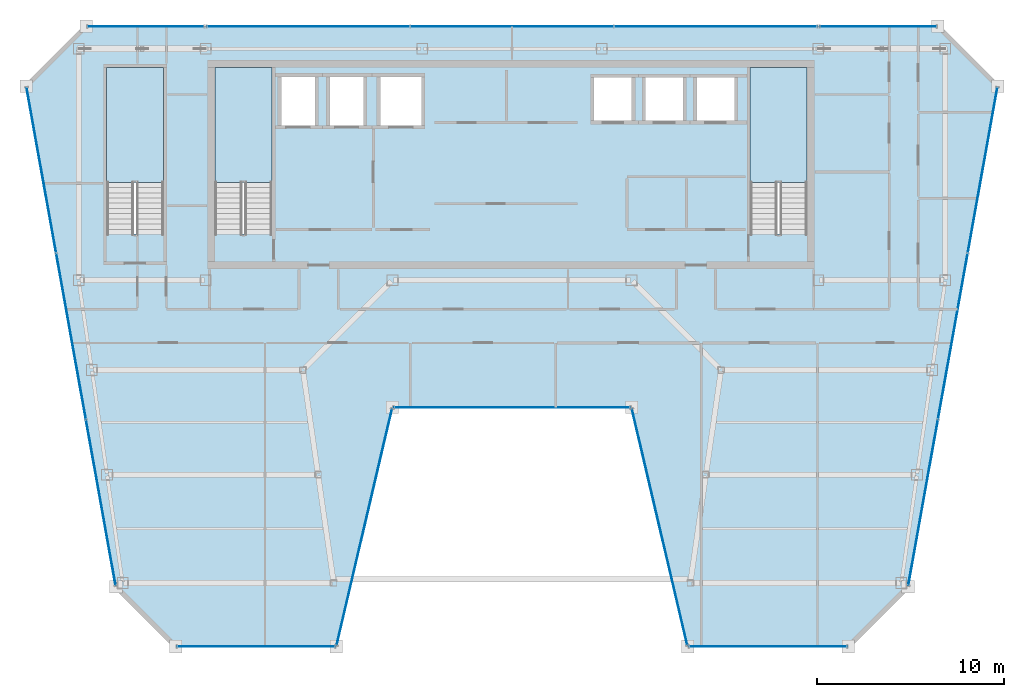
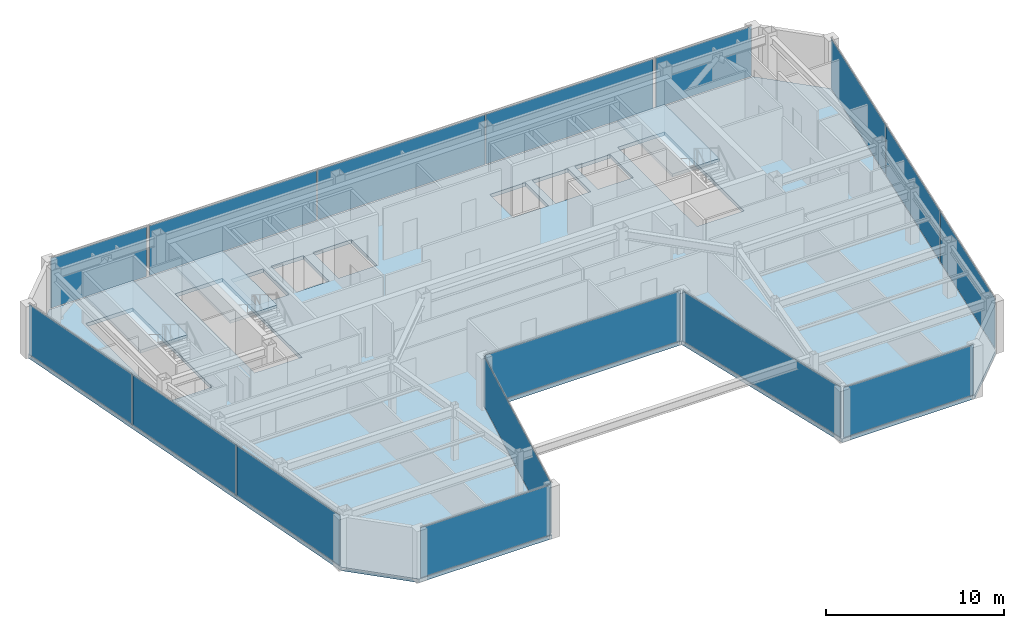
# One storey, part 25 of 32: 16 plates, 4 slabs, 13 elements without a shape of their own.
"""IFC4 building model written with IfcOpenShell, lengths in metres."""

from ifc_helpers import new_model, si_unit, direction, frame, origin, origin_2d, place, context, subcontext, project, spatial, polyline, rectangle, outline, extrude, material, layer, layer_set, type_object, element, aggregate, save


model = new_model("IFC4")

# Units and contexts
model_context = context("Model", 3, precision=1e-05, world=origin(), true_north=direction((0.0, 1.0)))
body_context = subcontext(model_context, "Body", "Model", "MODEL_VIEW")
ifc_project = project(units=[si_unit("LENGTHUNIT", "METRE"), si_unit("AREAUNIT", "SQUARE_METRE"), si_unit("VOLUMEUNIT", "CUBIC_METRE"), si_unit("PLANEANGLEUNIT", "RADIAN"), si_unit("MASSUNIT", "GRAM", prefix="KILO")], contexts=[model_context])

# Site, building, storey
site_placement = place(None, origin())
site = spatial("IfcSite", under=ifc_project, at=site_placement, CompositionType="ELEMENT")
building_placement = place(site_placement, origin())
building = spatial("IfcBuilding", under=site, at=building_placement, Name="Saevonmaru Cultural Tower", CompositionType="ELEMENT")
storey_placement = place(building_placement, frame((0.0, 0.0, 261.0)))
storey = spatial("IfcBuildingStorey", under=building, at=storey_placement, Name="L61", CompositionType="ELEMENT", Elevation=261.0)

# Curtain wall, plate
ifc_material_1 = material(Name="Satin Bronze Anodised Aluminium", Category="aluminium")
curtain_wall_type = type_object("IfcCurtainWallType", Name="CW-TYP-B", PredefinedType="NOTDEFINED", material=ifc_material_1)
curtain_wall_1_placement = place(storey_placement, origin())
curtain_wall_1 = element("IfcCurtainWall", 1, at=curtain_wall_1_placement, inside=storey, type_object=curtain_wall_type, Name="L61 Unitised Curtain Wall E2", PredefinedType="NOTDEFINED")
ifc_material_2 = material(Name="Triple Silver Low-E Insulating Glass", Category="glass")
ifc_layer_1 = layer(ifc_material_2, 0.035888671875, Name="Triple Silver Low-E Insulating Glass")
ifc_layer_set_1 = layer_set([ifc_layer_1], Name="Triple Silver Low-E Insulating Glass")
plate_type_1 = type_object("IfcPlateType", Name="PN-GLZ-IGU", PredefinedType="CURTAIN_PANEL", material=ifc_layer_set_1)
plate_1_placement = place(storey_placement, frame((16.295654296875, 22.800048828125, 0.06689453125), z_axis=(0.0, 0.0, 1.0), x_axis=(1.0, 0.0, 0.0)))
plate_1 = element("IfcPlate", 2, at=plate_1_placement, type_object=plate_type_1, Name="CW-TW-L61-E2 panel 1.1", PredefinedType="CURTAIN_PANEL", context=body_context, shape_type="SweptSolid", body=[
    extrude(rectangle(XDim=8.410888671875, YDim=0.035888671875, at=origin_2d()), origin(), (0.0, 0.0, 1.0), 3.416015625),
])
aggregate(curtain_wall_1, [plate_1])

curtain_wall_2_placement = place(storey_placement, origin())
curtain_wall_2 = element("IfcCurtainWall", 3, at=curtain_wall_2_placement, inside=storey, type_object=curtain_wall_type, Name="L61 Unitised Curtain Wall E3", PredefinedType="NOTDEFINED")
plate_2_placement = place(storey_placement, frame((22.095703125, 29.199951171875, 0.06689453125), z_axis=(0.0, 0.0, 1.0), x_axis=(0.228189509449, 0.973616735568, 0.0)))
plate_2 = element("IfcPlate", 4, at=plate_2_placement, type_object=plate_type_1, Name="CW-TW-L61-E3 panel 1.1", PredefinedType="CURTAIN_PANEL", context=body_context, shape_type="SweptSolid", body=[
    extrude(rectangle(XDim=12.9580078125, YDim=0.035888671875, at=origin_2d()), origin(), (0.0, 0.0, 1.0), 3.416015625),
])
aggregate(curtain_wall_2, [plate_2])

curtain_wall_3_placement = place(storey_placement, origin())
curtain_wall_3 = element("IfcCurtainWall", 5, at=curtain_wall_3_placement, inside=storey, type_object=curtain_wall_type, Name="L61 Unitised Curtain Wall E4", PredefinedType="NOTDEFINED")
plate_3_placement = place(storey_placement, frame((30.0, 35.60009765625, 0.06689453125), z_axis=(0.0, 0.0, 1.0), x_axis=(1.0, 0.0, 0.0)))
plate_3 = element("IfcPlate", 6, at=plate_3_placement, type_object=plate_type_1, Name="CW-TW-L61-E4 panel 1.1", PredefinedType="CURTAIN_PANEL", context=body_context, shape_type="SweptSolid", body=[
    extrude(rectangle(XDim=12.619873046875, YDim=0.035888671875, at=origin_2d()), origin(), (0.0, 0.0, 1.0), 3.416015625),
])
aggregate(curtain_wall_3, [plate_3])

curtain_wall_4_placement = place(storey_placement, origin())
curtain_wall_4 = element("IfcCurtainWall", 7, at=curtain_wall_4_placement, inside=storey, type_object=curtain_wall_type, Name="L61 Unitised Curtain Wall E5", PredefinedType="NOTDEFINED")
plate_4_placement = place(storey_placement, frame((37.904296875, 29.199951171875, 0.06689453125), z_axis=(0.0, 0.0, 1.0), x_axis=(0.228189509449, -0.973616735568, 0.0)))
plate_4 = element("IfcPlate", 8, at=plate_4_placement, type_object=plate_type_1, Name="CW-TW-L61-E5 panel 1.1", PredefinedType="CURTAIN_PANEL", context=body_context, shape_type="SweptSolid", body=[
    extrude(rectangle(XDim=12.9580078125, YDim=0.035888671875, at=origin_2d()), origin(), (0.0, 0.0, 1.0), 3.416015625),
])
aggregate(curtain_wall_4, [plate_4])

curtain_wall_5_placement = place(storey_placement, origin())
curtain_wall_5 = element("IfcCurtainWall", 9, at=curtain_wall_5_placement, inside=storey, type_object=curtain_wall_type, Name="L61 Unitised Curtain Wall E6", PredefinedType="NOTDEFINED")
plate_5_placement = place(storey_placement, frame((43.704345703125, 22.800048828125, 0.06689453125), z_axis=(0.0, 0.0, 1.0), x_axis=(1.0, 0.0, 0.0)))
plate_5 = element("IfcPlate", 10, at=plate_5_placement, type_object=plate_type_1, Name="CW-TW-L61-E6 panel 1.1", PredefinedType="CURTAIN_PANEL", context=body_context, shape_type="SweptSolid", body=[
    extrude(rectangle(XDim=8.410888671875, YDim=0.035888671875, at=origin_2d()), origin(), (0.0, 0.0, 1.0), 3.416015625),
])
aggregate(curtain_wall_5, [plate_5])

# Curtain wall, plates
curtain_wall_6_placement = place(storey_placement, origin())
curtain_wall_6 = element("IfcCurtainWall", 11, at=curtain_wall_6_placement, inside=storey, type_object=curtain_wall_type, Name="L61 Unitised Curtain Wall E8", PredefinedType="NOTDEFINED")
plate_6_placement = place(storey_placement, frame((52.0107421875, 30.506103515625, 0.06689453125), z_axis=(0.0, 0.0, 1.0), x_axis=(0.176140740755, 0.984364993001, 0.0)))
plate_6 = element("IfcPlate", 12, at=plate_6_placement, type_object=plate_type_1, Name="CW-TW-L61-E8 panel 1.1", PredefinedType="CURTAIN_PANEL", context=body_context, shape_type="SweptSolid", body=[
    extrude(rectangle(XDim=8.96630859375, YDim=0.035888671875, at=origin_2d()), origin(), (0.0, 0.0, 1.0), 3.416015625),
])
plate_7_placement = place(storey_placement, frame((53.602294921875, 39.39990234375, 0.06689453125), z_axis=(0.0, 0.0, 1.0), x_axis=(0.176140740755, 0.984364993001, 0.0)))
plate_7 = element("IfcPlate", 13, at=plate_7_placement, type_object=plate_type_1, Name="CW-TW-L61-E8 panel 2.1", PredefinedType="CURTAIN_PANEL", context=body_context, shape_type="SweptSolid", body=[
    extrude(rectangle(XDim=8.96630859375, YDim=0.035888671875, at=origin_2d()), origin(), (0.0, 0.0, 1.0), 3.416015625),
])
plate_8_placement = place(storey_placement, frame((55.193603515625, 48.2939453125, 0.06689453125), z_axis=(0.0, 0.0, 1.0), x_axis=(0.176140740755, 0.984364993001, 0.0)))
plate_8 = element("IfcPlate", 14, at=plate_8_placement, type_object=plate_type_1, Name="CW-TW-L61-E8 panel 3.1", PredefinedType="CURTAIN_PANEL", context=body_context, shape_type="SweptSolid", body=[
    extrude(rectangle(XDim=8.96630859375, YDim=0.035888671875, at=origin_2d()), origin(), (0.0, 0.0, 1.0), 3.416015625),
])
aggregate(curtain_wall_6, [plate_6, plate_7, plate_8])

curtain_wall_7_placement = place(storey_placement, origin())
curtain_wall_7 = element("IfcCurtainWall", 15, at=curtain_wall_7_placement, inside=storey, type_object=curtain_wall_type, Name="L61 North Spine Unitised Curtain Wall E10B", PredefinedType="NOTDEFINED")
plate_9_placement = place(storey_placement, frame((40.893310546875, 56.0, 0.06689453125), z_axis=(0.0, 0.0, 1.0), x_axis=(-1.0, 0.0, 0.0)))
plate_9 = element("IfcPlate", 16, at=plate_9_placement, type_object=plate_type_1, Name="CW-TW-L61-E10B panel 1.1", PredefinedType="CURTAIN_PANEL", context=body_context, shape_type="SweptSolid", body=[
    extrude(rectangle(XDim=10.82421875, YDim=0.035888671875, at=origin_2d()), origin(), (0.0, 0.0, 1.0), 3.416015625),
])
plate_10_placement = place(storey_placement, frame((30.0, 56.0, 0.06689453125), z_axis=(0.0, 0.0, 1.0), x_axis=(-1.0, 0.0, 0.0)))
plate_10 = element("IfcPlate", 17, at=plate_10_placement, type_object=plate_type_1, Name="CW-TW-L61-E10B panel 2.1", PredefinedType="CURTAIN_PANEL", context=body_context, shape_type="SweptSolid", body=[
    extrude(rectangle(XDim=10.82421875, YDim=0.035888671875, at=origin_2d()), origin(), (0.0, 0.0, 1.0), 3.416015625),
])
plate_11_placement = place(storey_placement, frame((19.106689453125, 56.0, 0.06689453125), z_axis=(0.0, 0.0, 1.0), x_axis=(-1.0, 0.0, 0.0)))
plate_11 = element("IfcPlate", 18, at=plate_11_placement, type_object=plate_type_1, Name="CW-TW-L61-E10B panel 3.1", PredefinedType="CURTAIN_PANEL", context=body_context, shape_type="SweptSolid", body=[
    extrude(rectangle(XDim=10.82421875, YDim=0.035888671875, at=origin_2d()), origin(), (0.0, 0.0, 1.0), 3.416015625),
])
aggregate(curtain_wall_7, [plate_9, plate_10, plate_11])

curtain_wall_8_placement = place(storey_placement, origin())
curtain_wall_8 = element("IfcCurtainWall", 19, at=curtain_wall_8_placement, inside=storey, type_object=curtain_wall_type, Name="L61 Unitised Curtain Wall E12", PredefinedType="NOTDEFINED")
plate_12_placement = place(storey_placement, frame((4.806396484375, 48.2939453125, 0.06689453125), z_axis=(0.0, 0.0, 1.0), x_axis=(0.176140740755, -0.984364993001, 0.0)))
plate_12 = element("IfcPlate", 20, at=plate_12_placement, type_object=plate_type_1, Name="CW-TW-L61-E12 panel 1.1", PredefinedType="CURTAIN_PANEL", context=body_context, shape_type="SweptSolid", body=[
    extrude(rectangle(XDim=8.96630859375, YDim=0.035888671875, at=origin_2d()), origin(), (0.0, 0.0, 1.0), 3.416015625),
])
plate_13_placement = place(storey_placement, frame((6.397705078125, 39.39990234375, 0.06689453125), z_axis=(0.0, 0.0, 1.0), x_axis=(0.176140740755, -0.984364993001, 0.0)))
plate_13 = element("IfcPlate", 21, at=plate_13_placement, type_object=plate_type_1, Name="CW-TW-L61-E12 panel 2.1", PredefinedType="CURTAIN_PANEL", context=body_context, shape_type="SweptSolid", body=[
    extrude(rectangle(XDim=8.96630859375, YDim=0.035888671875, at=origin_2d()), origin(), (0.0, 0.0, 1.0), 3.416015625),
])
plate_14_placement = place(storey_placement, frame((7.9892578125, 30.506103515625, 0.06689453125), z_axis=(0.0, 0.0, 1.0), x_axis=(0.176140740755, -0.984364993001, 0.0)))
plate_14 = element("IfcPlate", 22, at=plate_14_placement, type_object=plate_type_1, Name="CW-TW-L61-E12 panel 3.1", PredefinedType="CURTAIN_PANEL", context=body_context, shape_type="SweptSolid", body=[
    extrude(rectangle(XDim=8.96630859375, YDim=0.035888671875, at=origin_2d()), origin(), (0.0, 0.0, 1.0), 3.416015625),
])
aggregate(curtain_wall_8, [plate_12, plate_13, plate_14])

# Curtain wall, plate
curtain_wall_9_placement = place(storey_placement, origin())
curtain_wall_9 = element("IfcCurtainWall", 23, at=curtain_wall_9_placement, inside=storey, type_object=curtain_wall_type, Name="L61 East Braced Bay Spandrel Curtain Wall E10A", PredefinedType="NOTDEFINED")
ifc_material_3 = material(Name="Insulated Satin Bronze Aluminium Spandrel Panel", Category="aluminium")
ifc_layer_2 = layer(ifc_material_3, 0.0400390625, Name="Insulated Satin Bronze Aluminium Spandrel Panel")
ifc_layer_set_2 = layer_set([ifc_layer_2], Name="Insulated Satin Bronze Aluminium Spandrel Panel")
plate_type_2 = type_object("IfcPlateType", Name="PN-SPANDREL-BRONZE", PredefinedType="CURTAIN_PANEL", material=ifc_layer_set_2)
plate_15_placement = place(storey_placement, frame((49.60009765625, 56.0, 0.06689453125), z_axis=(0.0, 0.0, 1.0), x_axis=(-1.0, 0.0, 0.0)))
plate_15 = element("IfcPlate", 24, at=plate_15_placement, type_object=plate_type_2, Name="CW-TW-L61-E10A panel 1.1", PredefinedType="CURTAIN_PANEL", context=body_context, shape_type="SweptSolid", body=[
    extrude(rectangle(XDim=6.2109375, YDim=0.035888671875, at=origin_2d()), origin(), (0.0, 0.0, 1.0), 3.416015625),
])
aggregate(curtain_wall_9, [plate_15])

curtain_wall_10_placement = place(storey_placement, origin())
curtain_wall_10 = element("IfcCurtainWall", 25, at=curtain_wall_10_placement, inside=storey, type_object=curtain_wall_type, Name="L61 West Braced Bay Spandrel Curtain Wall E10C", PredefinedType="NOTDEFINED")
plate_16_placement = place(storey_placement, frame((10.39990234375, 56.0, 0.06689453125), z_axis=(0.0, 0.0, 1.0), x_axis=(-1.0, 0.0, 0.0)))
plate_16 = element("IfcPlate", 26, at=plate_16_placement, type_object=plate_type_2, Name="CW-TW-L61-E10C panel 1.1", PredefinedType="CURTAIN_PANEL", context=body_context, shape_type="SweptSolid", body=[
    extrude(rectangle(XDim=6.2109375, YDim=0.035888671875, at=origin_2d()), origin(), (0.0, 0.0, 1.0), 3.416015625),
])
aggregate(curtain_wall_10, [plate_16])

# Slab
ifc_material_4 = material(Name="Concrete C40/50", Category="concrete")
ifc_layer_3 = layer(ifc_material_4, 0.25, Name="Concrete C40/50")
ifc_layer_set_3 = layer_set([ifc_layer_3], Name="Concrete C40/50")
slab_type_1 = type_object("IfcSlabType", Name="SL-FLR-250", PredefinedType="FLOOR", material=ifc_layer_set_3)
slab_1_placement = place(storey_placement, frame((0.0, 0.0, -0.25)))
element("IfcSlab", 27, at=slab_1_placement, inside=storey, type_object=slab_type_1, Name="L61 Tower Structural Floor Slab", PredefinedType="FLOOR", context=body_context, shape_type="SweptSolid", body=[
    extrude(outline(polyline([(8.795654296875, 26.0), (11.99560546875, 22.800048828125), (20.595703125, 22.800048828125), (23.595703125, 35.60009765625), (36.404296875, 35.60009765625), (39.404296875, 22.800048828125), (48.00439453125, 22.800048828125), (51.204345703125, 26.0), (56.0, 52.800048828125), (52.800048828125, 56.0), (7.199951171875, 56.0), (4.0, 52.800048828125), (8.795654296875, 26.0)]), holes=[polyline([(45.800048828125, 53.800048828125), (45.800048828125, 44.875), (42.75, 44.875), (42.75, 53.800048828125), (45.800048828125, 53.800048828125)]), polyline([(39.75, 50.800048828125), (39.75, 53.39990234375), (42.050048828125, 53.39990234375), (42.050048828125, 50.800048828125), (39.75, 50.800048828125)]), polyline([(37.0, 50.800048828125), (37.0, 53.39990234375), (39.300048828125, 53.39990234375), (39.300048828125, 50.800048828125), (37.0, 50.800048828125)]), polyline([(36.550048828125, 50.800048828125), (34.25, 50.800048828125), (34.25, 53.39990234375), (36.550048828125, 53.39990234375), (36.550048828125, 50.800048828125)]), polyline([(25.300048828125, 50.550048828125), (22.800048828125, 50.550048828125), (22.800048828125, 53.449951171875), (25.300048828125, 53.449951171875), (25.300048828125, 50.550048828125)]), polyline([(22.199951171875, 50.550048828125), (20.10009765625, 50.550048828125), (20.10009765625, 53.449951171875), (22.199951171875, 53.449951171875), (22.199951171875, 50.550048828125)]), polyline([(19.60009765625, 50.550048828125), (17.5, 50.550048828125), (17.5, 53.449951171875), (19.60009765625, 53.449951171875), (19.60009765625, 50.550048828125)]), polyline([(17.14990234375, 53.800048828125), (17.14990234375, 44.875), (14.10009765625, 44.875), (14.10009765625, 53.800048828125), (17.14990234375, 53.800048828125)]), polyline([(11.35009765625, 53.800048828125), (11.35009765625, 44.875), (8.300048828125, 44.875), (8.300048828125, 53.800048828125), (11.35009765625, 53.800048828125)])]), origin(), (0.0, 0.0, 1.0), 0.25),
])

# Stair, slab
stair_type = type_object("IfcStairType", Name="STR-DOGLEG-RC", PredefinedType="HALF_TURN_STAIR", material=ifc_material_4)
stair_1_placement = place(storey_placement, origin())
stair_1 = element("IfcStair", 28, at=stair_1_placement, inside=storey, type_object=stair_type, Name="L61 Protected exit stair ST-1", PredefinedType="HALF_TURN_STAIR")
ifc_layer_4 = layer(ifc_material_4, 0.199951171875, Name="Concrete C40/50")
ifc_layer_set_4 = layer_set([ifc_layer_4], Name="Concrete C40/50")
slab_type_2 = type_object("IfcSlabType", Name="SL-STAIR-LANDING", PredefinedType="LANDING", material=ifc_layer_set_4)
slab_2_placement = place(storey_placement, frame((0.0, 0.0, 1.699951171875)))
slab_2 = element("IfcSlab", 29, at=slab_2_placement, type_object=slab_type_2, Name="ST-1-L61 landing 1", PredefinedType="LANDING", context=body_context, shape_type="SweptSolid", body=[
    extrude(outline(polyline([(17.14990234375, 47.64990234375), (17.14990234375, 53.800048828125), (14.10009765625, 53.800048828125), (14.10009765625, 47.64990234375), (17.14990234375, 47.64990234375)])), origin(), (0.0, 0.0, 1.0), 0.199951171875),
])
aggregate(stair_1, [slab_2])

stair_2_placement = place(storey_placement, origin())
stair_2 = element("IfcStair", 30, at=stair_2_placement, inside=storey, type_object=stair_type, Name="L61 Protected exit stair ST-2", PredefinedType="HALF_TURN_STAIR")
slab_3_placement = place(storey_placement, frame((0.0, 0.0, 1.699951171875)))
slab_3 = element("IfcSlab", 31, at=slab_3_placement, type_object=slab_type_2, Name="ST-2-L61 landing 1", PredefinedType="LANDING", context=body_context, shape_type="SweptSolid", body=[
    extrude(outline(polyline([(45.800048828125, 47.64990234375), (45.800048828125, 53.800048828125), (42.75, 53.800048828125), (42.75, 47.64990234375), (45.800048828125, 47.64990234375)])), origin(), (0.0, 0.0, 1.0), 0.199951171875),
])
aggregate(stair_2, [slab_3])

stair_3_placement = place(storey_placement, origin())
stair_3 = element("IfcStair", 32, at=stair_3_placement, inside=storey, type_object=stair_type, Name="L61 Protected exit stair ST-3", PredefinedType="HALF_TURN_STAIR")
slab_4_placement = place(storey_placement, frame((0.0, 0.0, 1.699951171875)))
slab_4 = element("IfcSlab", 33, at=slab_4_placement, type_object=slab_type_2, Name="ST-3-L61 landing 1", PredefinedType="LANDING", context=body_context, shape_type="SweptSolid", body=[
    extrude(outline(polyline([(11.35009765625, 47.64990234375), (11.35009765625, 53.800048828125), (8.300048828125, 53.800048828125), (8.300048828125, 47.64990234375), (11.35009765625, 47.64990234375)])), origin(), (0.0, 0.0, 1.0), 0.199951171875),
])
aggregate(stair_3, [slab_4])

save(model, "model.ifc")
